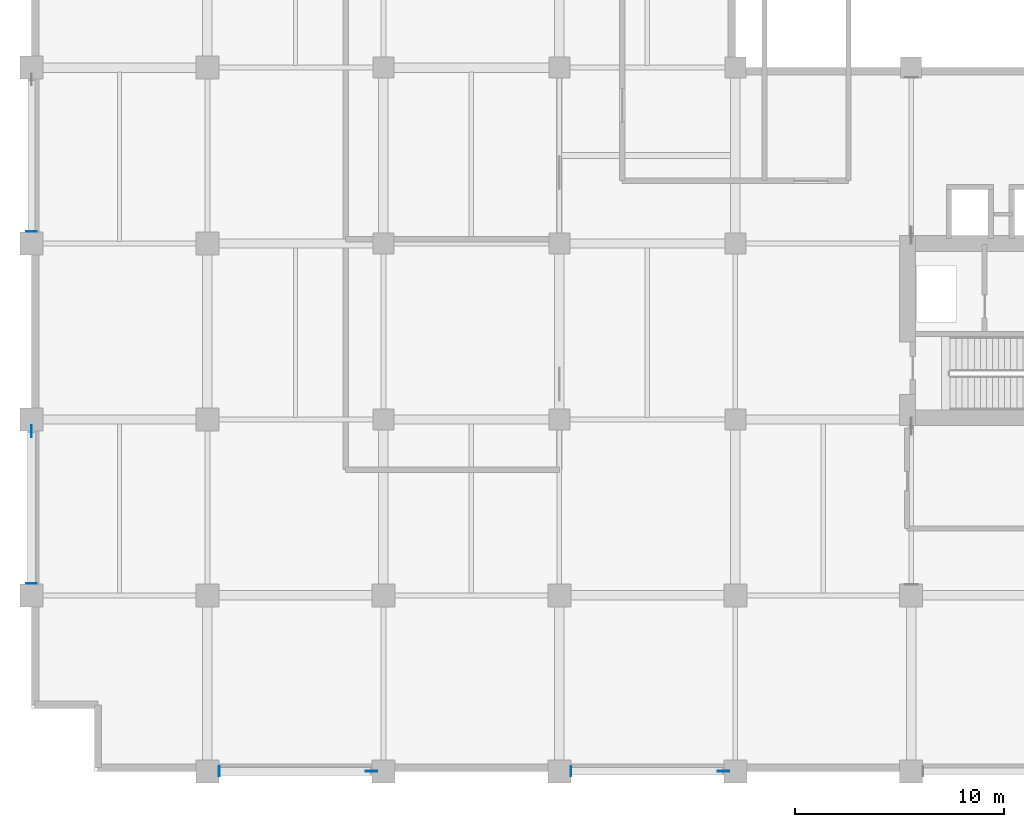
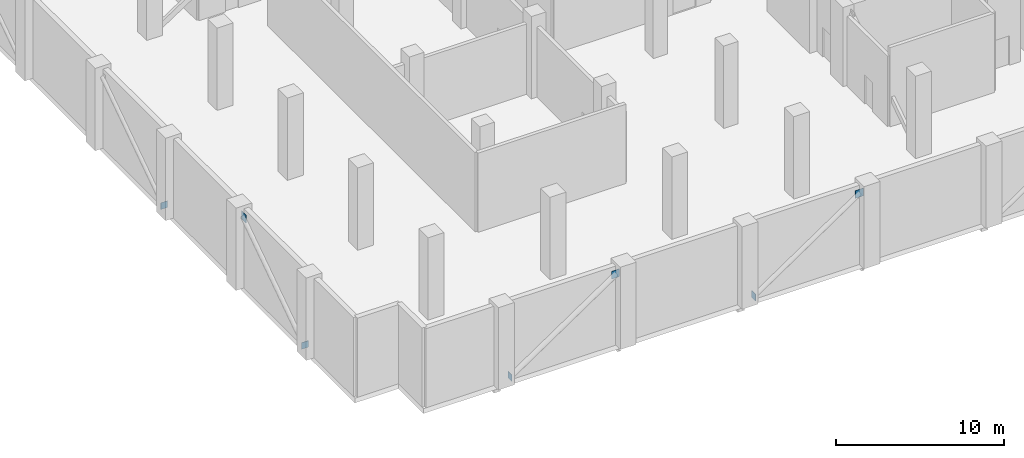
# One storey, part 5 of 16: 7 plates.
"""IFC4 building model written with IfcOpenShell, lengths in metres."""

import ifcopenshell
import ifcopenshell.guid

model = None  # the IFC model being written
_history = None  # IfcOwnerHistory: only IFC2X3 demands one
_inside = {}  # id of a spatial element -> (the spatial element, [elements in it])
_under = {}  # id of a project, library or spatial element -> (it, [spatial elements below it])
_declared = {}  # id of a project -> (the project, [libraries it declares])
_typed = {}  # id of a type object -> (the type object, [elements of that type])
_made_of = {}  # id of a material, layer set ... -> (it, [elements and type objects made of it])


def new_model(schema):
    """Start an empty IFC model of exactly this schema.

    Asked for "IFC4X3", IfcOpenShell would pick the latest addendum, in which some entities
    have other attributes; the version numbers below select the first issue.
    IFC2X3 requires an IfcOwnerHistory on every rooted entity: one is made here for all.
    """
    global model, _history
    if schema == "IFC4X3":
        model = ifcopenshell.file(schema_version=(4, 3, 0, 0))
    else:
        model = ifcopenshell.file(schema=schema)
    _inside.clear()
    _under.clear()
    _declared.clear()
    _typed.clear()
    _made_of.clear()
    _history = None
    if model.schema == "IFC2X3":
        org = make("IfcOrganization", Name="unknown")
        user = make(
            "IfcPersonAndOrganization",
            ThePerson=make("IfcPerson", FamilyName="unknown"),
            TheOrganization=org,
        )
        app = make(
            "IfcApplication",
            ApplicationDeveloper=org,
            Version="unknown",
            ApplicationFullName="unknown",
            ApplicationIdentifier="unknown",
        )
        _history = make(
            "IfcOwnerHistory",
            OwningUser=user,
            OwningApplication=app,
            ChangeAction="ADDED",
            CreationDate=0,
        )
    return model


def make(cls, **values):
    """One entity of the class cls with the attributes given. An attribute that is None is left unset."""
    return model.create_entity(
        cls, **{name: value for name, value in values.items() if value is not None}
    )


def rooted(cls, **values):
    """An entity with a GlobalId (a new one), such as an element, a storey or a relation."""
    return make(cls, GlobalId=ifcopenshell.guid.new(), OwnerHistory=_history, **values)


def si_unit(unit_type, name, prefix=None):
    """IfcSIUnit, for example si_unit("LENGTHUNIT", "METRE", prefix="MILLI")."""
    return make("IfcSIUnit", UnitType=unit_type, Prefix=prefix, Name=name)


def assignment(units):
    """IfcUnitAssignment: the units of a project."""
    return None if units is None else make("IfcUnitAssignment", Units=units)


def point(xyz):
    """IfcCartesianPoint."""
    return None if xyz is None else make("IfcCartesianPoint", Coordinates=xyz)


def direction(xyz):
    """IfcDirection."""
    return None if xyz is None else make("IfcDirection", DirectionRatios=xyz)


def frame(location, z_axis=None, x_axis=None):
    """IfcAxis2Placement3D, a coordinate frame: its origin and axes. An axis left out is left unset."""
    return make(
        "IfcAxis2Placement3D",
        Location=point(location),
        Axis=direction(z_axis),
        RefDirection=direction(x_axis),
    )


def frame_2d(location, x_axis=None):
    """IfcAxis2Placement2D, a coordinate frame in the plane: its origin and x axis."""
    return make(
        "IfcAxis2Placement2D", Location=point(location), RefDirection=direction(x_axis)
    )


def origin():
    """The frame at (0, 0, 0) with its axes left unset."""
    return frame((0.0, 0.0, 0.0))


def origin_2d():
    """The frame at (0, 0) in the plane with its x axis left unset."""
    return frame_2d((0.0, 0.0))


def place(relative_to, where):
    """IfcLocalPlacement: puts the frame where relative to a parent placement (None: the world)."""
    return make(
        "IfcLocalPlacement", PlacementRelTo=relative_to, RelativePlacement=where
    )


def context(
    kind, dimensions, precision=None, world=None, true_north=None, identifier=None
):
    """IfcGeometricRepresentationContext, for example the 3D "Model" context."""
    return make(
        "IfcGeometricRepresentationContext",
        ContextIdentifier=identifier,
        ContextType=kind,
        CoordinateSpaceDimension=dimensions,
        Precision=precision,
        WorldCoordinateSystem=world,
        TrueNorth=true_north,
    )


def subcontext(parent, identifier, kind, view, scale=None):
    """IfcGeometricRepresentationSubContext, for example "Body" below "Model"."""
    return make(
        "IfcGeometricRepresentationSubContext",
        ContextIdentifier=identifier,
        ContextType=kind,
        ParentContext=parent,
        TargetScale=scale,
        TargetView=view,
    )


def project(units=None, contexts=None):
    """IfcProject with its units and contexts."""
    return rooted(
        "IfcProject",
        Name="project",
        RepresentationContexts=contexts,
        UnitsInContext=assignment(units),
    )


def spatial(cls, under=None, at=None, **own):
    """A site, building, storey or space (cls), placed at a placement, below another one or the project."""
    s = rooted(cls, ObjectPlacement=at, **own)
    if under is not None:
        _under.setdefault(under.id(), (under, []))[1].append(s)
    return s


def profile(cls, at=None, kind="AREA", **sizes):
    """A parametric profile (cls). Its sizes go by their IFC names, for example OverallWidth=200.0."""
    return make(cls, ProfileType=kind, Position=at, **sizes)


def rectangle(**sizes):
    """IfcRectangleProfileDef."""
    return profile("IfcRectangleProfileDef", **sizes)


def extrude(swept, where, along, depth):
    """IfcExtrudedAreaSolid: the profile swept, set in the frame where, extruded along a direction by depth."""
    return make(
        "IfcExtrudedAreaSolid",
        SweptArea=swept,
        Position=where,
        ExtrudedDirection=direction(along),
        Depth=depth,
    )


def shape(context_of_items, identifier, shape_type, items):
    """IfcShapeRepresentation: the items that make up one representation, for example the "Body"."""
    return make(
        "IfcShapeRepresentation",
        ContextOfItems=context_of_items,
        RepresentationIdentifier=identifier,
        RepresentationType=shape_type,
        Items=items,
    )


def material(Name=None, Category=None):
    """IfcMaterial."""
    return make("IfcMaterial", Name=Name, Category=Category)


def layer(
    of_material, thickness, ventilated=None, Name=None, Category=None, Priority=None
):
    """IfcMaterialLayer: one layer of a wall or slab, of a material (None: an air gap)."""
    return make(
        "IfcMaterialLayer",
        Material=of_material,
        LayerThickness=thickness,
        IsVentilated=ventilated,
        Name=Name,
        Category=Category,
        Priority=Priority,
    )


def layer_set(layers, Name=None):
    """IfcMaterialLayerSet."""
    return make("IfcMaterialLayerSet", MaterialLayers=layers, LayerSetName=Name)


def made_of(thing, what):
    """Note that an element or type object is made of a material, layer set ...; save() writes the relation."""
    if what is not None:
        _made_of.setdefault(what.id(), (what, []))[1].append(thing)
    return thing


def type_object(cls, material=None, **own):
    """A type object (cls), such as IfcWallType, which elements share."""
    return made_of(rooted(cls, **own), material)


def element(
    cls,
    number,
    at=None,
    inside=None,
    cuts=None,
    type_object=None,
    material=None,
    context=None,
    identifier="Body",
    shape_type=None,
    held_by="IfcProductDefinitionShape",
    body=None,
    shapes=None,
    **own,
):
    """One element of the class cls, such as IfcWall. Its Tag is "e" and its number.

    at: its placement. inside: the storey or other place that contains it. cuts: it is an
    opening in that element (IfcRelVoidsElement). A single representation is given by context,
    identifier, shape_type and body (its items); several are given by shapes. held_by: the class
    of the entity that holds the representations. save() writes the other relations.
    """
    e = rooted(cls, Tag="e%d" % number, ObjectPlacement=at, **own)
    if body is not None:
        shapes = [shape(context, identifier, shape_type, body)]
    if shapes is not None:
        e.Representation = make(held_by, Representations=shapes)
    if inside is not None:
        _inside.setdefault(inside.id(), (inside, []))[1].append(e)
    if cuts is not None:
        rooted(
            "IfcRelVoidsElement", RelatingBuildingElement=cuts, RelatedOpeningElement=e
        )
    if type_object is not None:
        _typed.setdefault(type_object.id(), (type_object, []))[1].append(e)
    return made_of(e, material)


def aggregate(whole, parts):
    """IfcRelAggregates: a whole, such as a stair, and the parts it consists of."""
    return rooted("IfcRelAggregates", RelatingObject=whole, RelatedObjects=parts)


def save(model, path):
    """Write the relations noted so far, then the file.

    IfcRelAggregates (storeys below a building ...), IfcRelContainedInSpatialStructure (elements
    in a storey), IfcRelDefinesByType, IfcRelAssociatesMaterial and IfcRelDeclares: one each for
    every whole, place, type object, material and project.
    """
    for whole, parts in _under.values():
        aggregate(whole, parts)
    for where, things in _inside.values():
        rooted(
            "IfcRelContainedInSpatialStructure",
            RelatedElements=things,
            RelatingStructure=where,
        )
    for kind, things in _typed.values():
        rooted("IfcRelDefinesByType", RelatedObjects=things, RelatingType=kind)
    for what, things in _made_of.values():
        rooted("IfcRelAssociatesMaterial", RelatedObjects=things, RelatingMaterial=what)
    for by, libraries in _declared.values():
        rooted("IfcRelDeclares", RelatingContext=by, RelatedDefinitions=libraries)
    model.write(path)


model = new_model("IFC4")

# Units and contexts
model_context = context("Model", 3, precision=1e-05, world=origin(), true_north=direction((0.0, 1.0)))
body_context = subcontext(model_context, "Body", "Model", "MODEL_VIEW")
ifc_project = project(units=[si_unit("LENGTHUNIT", "METRE"), si_unit("AREAUNIT", "SQUARE_METRE"), si_unit("VOLUMEUNIT", "CUBIC_METRE"), si_unit("PLANEANGLEUNIT", "RADIAN"), si_unit("MASSUNIT", "GRAM", prefix="KILO")], contexts=[model_context])

# Site, building, storey
site_placement = place(None, origin())
site = spatial("IfcSite", under=ifc_project, at=site_placement, CompositionType="ELEMENT")
building_placement = place(site_placement, origin())
building = spatial("IfcBuilding", under=site, at=building_placement, Name="Koriwani Terraces Tower", CompositionType="ELEMENT")
storey_placement = place(building_placement, frame((0.0, 0.0, 162.0)))
storey = spatial("IfcBuildingStorey", under=building, at=storey_placement, Name="L39", CompositionType="ELEMENT", Elevation=162.0)

# Plates
ifc_material = material(Name="Steel ASTM A572 Grade 50", Category="steel")
ifc_layer_1 = layer(ifc_material, 0.02490234375, Name="Steel ASTM A572 Grade 50")
ifc_layer_set_1 = layer_set([ifc_layer_1], Name="Steel ASTM A572 Grade 50")
plate_type_1 = type_object("IfcPlateType", Name="STEEL_CAP_PLATE_25", PredefinedType="USERDEFINED", material=ifc_layer_set_1)
for number, where, z_axis, x_axis, name in (
    (1, (8.963134765625, 0.0, 0.032470703125), (0.0, 0.0, 1.0), (1.0, 0.0, 0.0), "Brace End Cap Plate BT-L39-BS1"),
    (2, (25.76318359375, 0.0, 0.032470703125), (0.0, 0.0, 1.0), (1.0, 0.0, 0.0), "Brace End Cap Plate BT-L39-BS2"),
    (3, (0.0, 8.963134765625, 0.032470703125), (0.0, 0.0, 1.0), (0.0, 1.0, 0.0), "Brace End Cap Plate BT-L39-BW1"),
    (4, (0.0, 25.76318359375, 0.032470703125), (0.0, 0.0, 1.0), (0.0, 1.0, 0.0), "Brace End Cap Plate BT-L39-BW2"),
):
    element("IfcPlate", number, at=place(storey_placement, frame(where, z_axis=z_axis, x_axis=x_axis)), inside=storey, type_object=plate_type_1, Name=name, ObjectType="FLANGE_PLATE", PredefinedType="USERDEFINED", context=body_context, shape_type="SweptSolid", body=[
        extrude(rectangle(XDim=0.02490234375, YDim=0.47998046875, at=origin_2d()), origin(), (0.0, 0.0, 1.0), 0.47998046875),
    ])
ifc_layer_2 = layer(ifc_material, 0.0400390625, Name="Steel ASTM A572 Grade 50")
ifc_layer_set_2 = layer_set([ifc_layer_2], Name="Steel ASTM A572 Grade 50")
plate_type_2 = type_object("IfcPlateType", Name="STEEL_GUSSET_PLATE_40", PredefinedType="USERDEFINED", material=ifc_layer_set_2)
for number, where, z_axis, x_axis, name in (
    (5, (16.23681640625, 0.0, 4.91748046875), (0.0, 0.0, 1.0), (1.0, 0.0, 0.0), "Brace Node Gusset Plate BT-L39-BS1"),
    (6, (33.036865234375, 0.0, 4.91748046875), (0.0, 0.0, 1.0), (1.0, 0.0, 0.0), "Brace Node Gusset Plate BT-L39-BS2"),
    (7, (0.0, 16.23681640625, 4.91748046875), (0.0, 0.0, 1.0), (0.0, 1.0, 0.0), "Brace Node Gusset Plate BT-L39-BW1"),
):
    element("IfcPlate", number, at=place(storey_placement, frame(where, z_axis=z_axis, x_axis=x_axis)), inside=storey, type_object=plate_type_2, Name=name, ObjectType="GUSSET_PLATE", PredefinedType="USERDEFINED", context=body_context, shape_type="SweptSolid", body=[
        extrude(rectangle(XDim=0.56005859375, YDim=0.0400390625, at=origin_2d()), origin(), (0.0, 0.0, 1.0), 0.56005859375),
    ])

save(model, "model.ifc")
